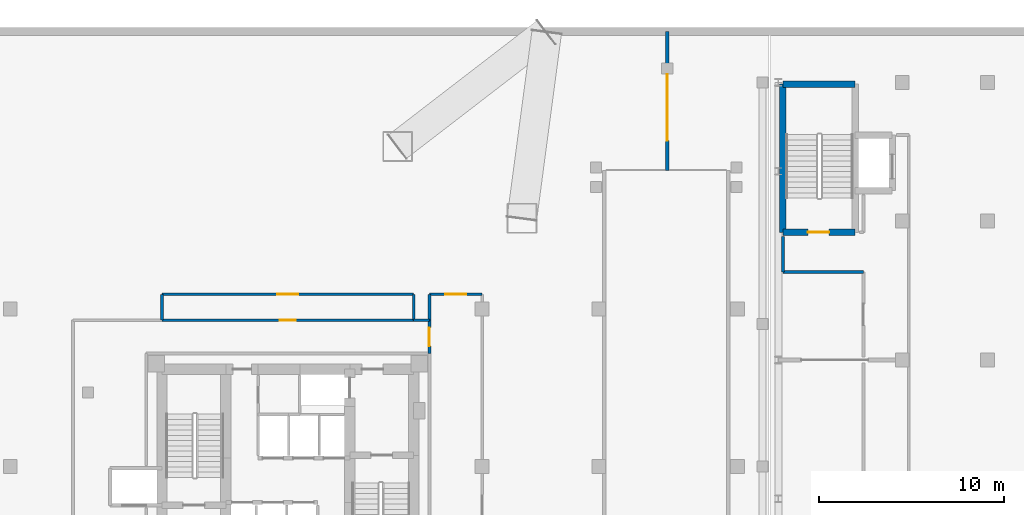
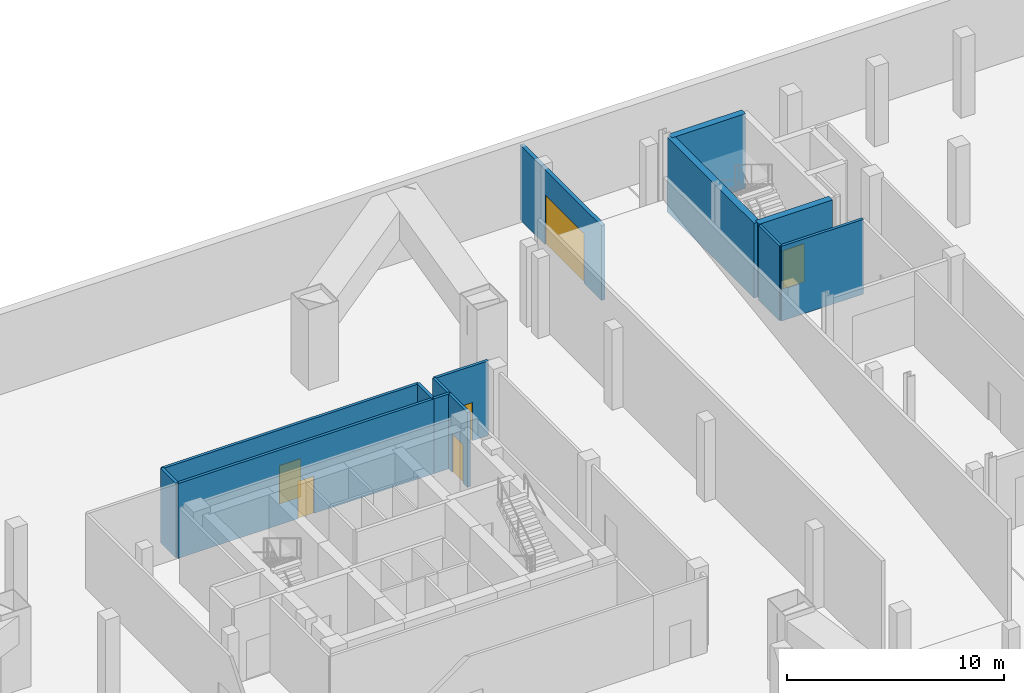
# One storey, part 8 of 14: 14 walls, 6 doors, 6 openings.
"""IFC4 building model written with IfcOpenShell, lengths in metres."""

from ifc_helpers import new_model, si_unit, direction, frame, frame_2d, origin, place, context, subcontext, project, spatial, rectangle, extrude, material, layer, layer_set, type_object, element, fill, save


model = new_model("IFC4")

# Units and contexts
model_context = context("Model", 3, precision=1e-05, world=origin(), true_north=direction((0.0, 1.0)))
body_context = subcontext(model_context, "Body", "Model", "MODEL_VIEW")
ifc_project = project(units=[si_unit("LENGTHUNIT", "METRE"), si_unit("AREAUNIT", "SQUARE_METRE"), si_unit("VOLUMEUNIT", "CUBIC_METRE"), si_unit("PLANEANGLEUNIT", "RADIAN"), si_unit("MASSUNIT", "GRAM", prefix="KILO")], contexts=[model_context])

# Site, building, storey
site_placement = place(None, origin())
site = spatial("IfcSite", under=ifc_project, at=site_placement, CompositionType="ELEMENT")
building_placement = place(site_placement, origin())
building = spatial("IfcBuilding", under=site, at=building_placement, Name="Mersakhor Tower and Convention Hall", CompositionType="ELEMENT")
storey_placement = place(building_placement, frame((0.0, 0.0, -4.5)))
storey = spatial("IfcBuildingStorey", under=building, at=storey_placement, Name="B01", CompositionType="ELEMENT", Elevation=-4.5)

# Wall, opening, door
ifc_material_1 = material(Name="Fire-rated gypsum board stud partition", Category="other")
ifc_layer_1 = layer(ifc_material_1, 0.14990234375)
ifc_layer_set_1 = layer_set([ifc_layer_1], Name="Fire-rated gypsum board stud partition")
wall_type_1 = type_object("IfcWallType", Name="WL-PRT-150", PredefinedType="PARTITIONING", material=ifc_layer_set_1)
wall_1_placement = place(storey_placement, frame((22.199951171875, 35.39990234375, 0.0), z_axis=(0.0, 0.0, 1.0), x_axis=(1.0, 0.0, 0.0)))
wall_1 = element("IfcWall", 1, at=wall_1_placement, inside=storey, type_object=wall_type_1, Name="B01 Interior Partition Wall P-021", PredefinedType="PARTITIONING", context=body_context, shape_type="SweptSolid", body=[
    extrude(rectangle(XDim=13.60009765625, YDim=0.14990234375, at=frame_2d((6.800048828125, 0.0))), origin(), (0.0, 0.0, 1.0), 4.199951171875),
])
opening_1_placement = place(wall_1_placement, frame((6.375, 0.0, 0.0)))
opening_1 = element("IfcOpeningElement", 2, at=opening_1_placement, cuts=wall_1, Name="Opening SVD-01", PredefinedType="OPENING", context=body_context, shape_type="SweptSolid", body=[
    extrude(rectangle(XDim=0.85009765625, YDim=2.10009765625, at=frame_2d((0.425048828125, 1.050048828125))), frame((0.0, 0.0849609375, 0.0), z_axis=(0.0, -1.0, 0.0), x_axis=(1.0, 0.0, 0.0)), (0.0, 0.0, 1.0), 0.169921875),
])
ifc_material_2 = material(Name="Fire-rated hardwood leaf and painted steel frame", Category="steel")
door_type_1 = type_object("IfcDoorType", Name="DR-INT-SVC-085x210", OperationType="NOTDEFINED", PredefinedType="DOOR", material=ifc_material_2)
door_1_placement = place(opening_1_placement, origin())
door_1 = element("IfcDoor", 3, at=door_1_placement, inside=storey, type_object=door_type_1, Name="B01 Basement Core Access Corridor West to Secure Resident Bicycle Storage Room Door", OperationType="SINGLE_SWING_RIGHT", OverallHeight=2.10009765625, OverallWidth=0.85009765625, PredefinedType="DOOR", context=body_context, shape_type="SweptSolid", body=[
    extrude(rectangle(XDim=0.85009765625, YDim=2.10009765625, at=frame_2d((0.425048828125, 1.050048828125))), frame((0.0, 0.02490234375, 0.0), z_axis=(0.0, -1.0, 0.0), x_axis=(1.0, 0.0, 0.0)), (0.0, 0.0, 1.0), 0.050048828125),
])
fill(opening_1, door_1)

# Wall
wall_2_placement = place(storey_placement, frame((35.800048828125, 35.39990234375, 0.0), z_axis=(0.0, 0.0, 1.0), x_axis=(1.0, 0.0, 0.0)))
element("IfcWall", 4, at=wall_2_placement, inside=storey, type_object=wall_type_1, Name="B01 Interior Partition Wall P-022", PredefinedType="PARTITIONING", context=body_context, shape_type="SweptSolid", body=[
    extrude(rectangle(XDim=0.849853515625, YDim=0.14990234375, at=frame_2d((0.4248046875, 0.0))), origin(), (0.0, 0.0, 1.0), 4.199951171875),
])

# Wall, opening, door
wall_3_placement = place(storey_placement, frame((36.64990234375, 35.39990234375, 0.0), z_axis=(0.0, 0.0, 1.0), x_axis=(0.0, -1.0, 0.0)))
wall_3 = element("IfcWall", 5, at=wall_3_placement, inside=storey, type_object=wall_type_1, Name="B01 Interior Partition Wall P-023", PredefinedType="PARTITIONING", context=body_context, shape_type="SweptSolid", body=[
    extrude(rectangle(XDim=1.7998046875, YDim=0.14990234375, at=frame_2d((0.89990234375, 0.0))), origin(), (0.0, 0.0, 1.0), 4.199951171875),
])
opening_2_placement = place(wall_3_placement, frame((0.39990234375, 0.0, 0.0)))
opening_2 = element("IfcOpeningElement", 6, at=opening_2_placement, cuts=wall_3, Name="Opening FD-01", PredefinedType="OPENING", context=body_context, shape_type="SweptSolid", body=[
    extrude(rectangle(XDim=1.0, YDim=2.14990234375, at=frame_2d((0.5, 1.074951171875))), frame((0.0, 0.0849609375, 0.0), z_axis=(0.0, -1.0, 0.0), x_axis=(1.0, 0.0, 0.0)), (0.0, 0.0, 1.0), 0.169921875),
])
ifc_material_3 = material(Name="Fire-rated hardwood leaf and painted steel frame", Category="steel")
door_type_2 = type_object("IfcDoorType", Name="DR-INT-FLT-100x215", OperationType="NOTDEFINED", PredefinedType="DOOR", material=ifc_material_3)
door_2_placement = place(opening_2_placement, origin())
door_2 = element("IfcDoor", 7, at=door_2_placement, inside=storey, type_object=door_type_2, Name="B01 Ring Corridor Fire Door", OperationType="SINGLE_SWING_LEFT", OverallHeight=2.14990234375, OverallWidth=1.0, PredefinedType="DOOR", context=body_context, shape_type="SweptSolid", body=[
    extrude(rectangle(XDim=1.0, YDim=2.14990234375, at=frame_2d((0.5, 1.074951171875))), frame((0.0, 0.02490234375, 0.0), z_axis=(0.0, -1.0, 0.0), x_axis=(1.0, 0.0, 0.0)), (0.0, 0.0, 1.0), 0.050048828125),
])
fill(opening_2, door_2)

# Wall
wall_4_placement = place(storey_placement, frame((36.64990234375, 35.39990234375, 0.0), z_axis=(0.0, 0.0, 1.0), x_axis=(0.0, 1.0, 0.0)))
element("IfcWall", 8, at=wall_4_placement, inside=storey, type_object=wall_type_1, Name="B01 Interior Partition Wall P-033", PredefinedType="PARTITIONING", context=body_context, shape_type="SweptSolid", body=[
    extrude(rectangle(XDim=1.400146484375, YDim=0.14990234375, at=frame_2d((0.7001953125, 0.0))), origin(), (0.0, 0.0, 1.0), 4.199951171875),
])

# Wall, opening, door
wall_5_placement = place(storey_placement, frame((36.64990234375, 36.800048828125, 0.0), z_axis=(0.0, 0.0, 1.0), x_axis=(1.0, 0.0, 0.0)))
wall_5 = element("IfcWall", 9, at=wall_5_placement, inside=storey, type_object=wall_type_1, Name="B01 Interior Partition Wall P-034", PredefinedType="PARTITIONING", context=body_context, shape_type="SweptSolid", body=[
    extrude(rectangle(XDim=2.85009765625, YDim=0.14990234375, at=frame_2d((1.425048828125, 0.0))), origin(), (0.0, 0.0, 1.0), 4.199951171875),
])
opening_3_placement = place(wall_5_placement, frame((0.85009765625, 0.0, 0.0)))
opening_3 = element("IfcOpeningElement", 10, at=opening_3_placement, cuts=wall_5, Name="Opening SD-01", PredefinedType="OPENING", context=body_context, shape_type="SweptSolid", body=[
    extrude(rectangle(XDim=1.14990234375, YDim=2.14990234375, at=frame_2d((0.574951171875, 1.074951171875))), frame((0.0, 0.0849609375, 0.0), z_axis=(0.0, -1.0, 0.0), x_axis=(1.0, 0.0, 0.0)), (0.0, 0.0, 1.0), 0.169921875),
])
ifc_material_4 = material(Name="Fire-rated hardwood leaf and painted steel frame", Category="steel")
door_type_3 = type_object("IfcDoorType", Name="DR-INT-STAIR-115x215", OperationType="NOTDEFINED", PredefinedType="DOOR", material=ifc_material_4)
door_3_placement = place(opening_3_placement, origin())
door_3 = element("IfcDoor", 11, at=door_3_placement, inside=storey, type_object=door_type_3, Name="B01 Basement Core Access Corridor East to Two-Way Basement Drive Aisle AISLE-N Door", OperationType="SINGLE_SWING_LEFT", OverallHeight=2.14990234375, OverallWidth=1.14990234375, PredefinedType="DOOR", context=body_context, shape_type="SweptSolid", body=[
    extrude(rectangle(XDim=1.14990234375, YDim=2.14990234375, at=frame_2d((0.574951171875, 1.074951171875))), frame((0.0, 0.02490234375, 0.0), z_axis=(0.0, -1.0, 0.0), x_axis=(1.0, 0.0, 0.0)), (0.0, 0.0, 1.0), 0.050048828125),
])
fill(opening_3, door_3)

# Walls
wall_6_placement = place(storey_placement, frame((60.10009765625, 38.0, 0.0), z_axis=(0.0, 0.0, 1.0), x_axis=(-1.0, 0.0, 0.0)))
element("IfcWall", 12, at=wall_6_placement, inside=storey, type_object=wall_type_1, Name="B01 Interior Partition Wall P-035", PredefinedType="PARTITIONING", context=body_context, shape_type="SweptSolid", body=[
    extrude(rectangle(XDim=4.35009765625, YDim=0.14990234375, at=frame_2d((2.175048828125, 0.0))), origin(), (0.0, 0.0, 1.0), 4.199951171875),
])
wall_7_placement = place(storey_placement, frame((55.75, 38.0, 0.0), z_axis=(0.0, 0.0, 1.0), x_axis=(0.0, 1.0, 0.0)))
element("IfcWall", 13, at=wall_7_placement, inside=storey, type_object=wall_type_1, Name="B01 Interior Partition Wall P-036", PredefinedType="PARTITIONING", context=body_context, shape_type="SweptSolid", body=[
    extrude(rectangle(XDim=1.925048828125, YDim=0.14990234375, at=frame_2d((0.96240234375, 0.0))), origin(), (0.0, 0.0, 1.0), 4.199951171875),
])

# Wall, opening, door
wall_8_placement = place(storey_placement, frame((22.199951171875, 36.800048828125, 0.0), z_axis=(0.0, 0.0, 1.0), x_axis=(1.0, 0.0, 0.0)))
wall_8 = element("IfcWall", 14, at=wall_8_placement, inside=storey, type_object=wall_type_1, Name="B01 Interior Partition Wall P-065", PredefinedType="PARTITIONING", context=body_context, shape_type="SweptSolid", body=[
    extrude(rectangle(XDim=13.60009765625, YDim=0.14990234375, at=frame_2d((6.800048828125, 0.0))), origin(), (0.0, 0.0, 1.0), 4.199951171875),
])
opening_4_placement = place(wall_8_placement, frame((6.22509765625, 0.0, 0.0)))
opening_4 = element("IfcOpeningElement", 15, at=opening_4_placement, cuts=wall_8, Name="Opening SD-01", PredefinedType="OPENING", context=body_context, shape_type="SweptSolid", body=[
    extrude(rectangle(XDim=1.14990234375, YDim=2.14990234375, at=frame_2d((0.574951171875, 1.074951171875))), frame((0.0, 0.0849609375, 0.0), z_axis=(0.0, -1.0, 0.0), x_axis=(1.0, 0.0, 0.0)), (0.0, 0.0, 1.0), 0.169921875),
])
door_4_placement = place(opening_4_placement, origin())
door_4 = element("IfcDoor", 16, at=door_4_placement, inside=storey, type_object=door_type_3, Name="B01 Two-Way Basement Drive Aisle AISLE-N to Secure Resident Bicycle Storage Room Door", OperationType="SINGLE_SWING_RIGHT", OverallHeight=2.14990234375, OverallWidth=1.14990234375, PredefinedType="DOOR", context=body_context, shape_type="SweptSolid", body=[
    extrude(rectangle(XDim=1.14990234375, YDim=2.14990234375, at=frame_2d((0.574951171875, 1.074951171875))), frame((0.0, 0.02490234375, 0.0), z_axis=(0.0, -1.0, 0.0), x_axis=(1.0, 0.0, 0.0)), (0.0, 0.0, 1.0), 0.050048828125),
])
fill(opening_4, door_4)

# Walls
for number, where, z_axis, x_axis, name in (
    (17, (35.800048828125, 36.800048828125, 0.0), (0.0, 0.0, 1.0), (0.0, -1.0, 0.0), "B01 Interior Partition Wall P-066"),
    (18, (22.199951171875, 35.39990234375, 0.0), (0.0, 0.0, 1.0), (0.0, 1.0, 0.0), "B01 Interior Partition Wall P-067"),
):
    element("IfcWall", number, at=place(storey_placement, frame(where, z_axis=z_axis, x_axis=x_axis)), inside=storey, type_object=wall_type_1, Name=name, PredefinedType="PARTITIONING", context=body_context, shape_type="SweptSolid", body=[
        extrude(rectangle(XDim=1.400146484375, YDim=0.14990234375, at=frame_2d((0.7001953125, 0.0))), origin(), (0.0, 0.0, 1.0), 4.199951171875),
    ])

# Wall, opening, door
ifc_material_5 = material(Name="Acoustic concrete blockwork and gypsum board", Category="masonry")
ifc_layer_2 = layer(ifc_material_5, 0.199951171875)
ifc_layer_set_2 = layer_set([ifc_layer_2], Name="Acoustic concrete blockwork and gypsum board")
wall_type_2 = type_object("IfcWallType", Name="WL-PRT-200", PredefinedType="PARTITIONING", material=ifc_layer_set_2)
wall_9_placement = place(storey_placement, frame((49.5, 43.5, 0.0), z_axis=(0.0, 0.0, 1.0), x_axis=(0.0, 1.0, 0.0)))
wall_9 = element("IfcWall", 19, at=wall_9_placement, inside=storey, type_object=wall_type_2, Name="B01 Basement Fire Compartment Wall FG-1", PredefinedType="PARTITIONING", context=body_context, shape_type="SweptSolid", body=[
    extrude(rectangle(XDim=7.5, YDim=0.199951171875, at=frame_2d((3.75, 0.0))), origin(), (0.0, 0.0, 1.0), 4.199951171875),
])
opening_5_placement = place(wall_9_placement, frame((1.60009765625, 0.0, 0.0)))
opening_5 = element("IfcOpeningElement", 20, at=opening_5_placement, cuts=wall_9, Name="Opening GATE-03", PredefinedType="OPENING", context=body_context, shape_type="SweptSolid", body=[
    extrude(rectangle(XDim=3.60009765625, YDim=2.800048828125, at=frame_2d((1.800048828125, 1.39990234375))), frame((0.0, 0.10986328125, 0.0), z_axis=(0.0, -1.0, 0.0), x_axis=(1.0, 0.0, 0.0)), (0.0, 0.0, 1.0), 0.219970703125),
])
ifc_material_6 = material(Name="Thermally broken dark aluminium and safety glass", Category="aluminium")
door_type_4 = type_object("IfcDoorType", Name="DR-GATE-BSM-360x280", OperationType="NOTDEFINED", PredefinedType="GATE", material=ifc_material_6)
door_5_placement = place(opening_5_placement, origin())
door_5 = element("IfcDoor", 21, at=door_5_placement, inside=storey, type_object=door_type_4, Name="B01 Basement Compartment Fire Shutter Gate BG-1", OperationType="ROLLINGUP", OverallHeight=2.800048828125, OverallWidth=3.60009765625, PredefinedType="GATE", context=body_context, shape_type="SweptSolid", body=[
    extrude(rectangle(XDim=3.60009765625, YDim=2.800048828125, at=frame_2d((1.800048828125, 1.39990234375))), frame((0.0, 0.02490234375, 0.0), z_axis=(0.0, -1.0, 0.0), x_axis=(1.0, 0.0, 0.0)), (0.0, 0.0, 1.0), 0.050048828125),
])
fill(opening_5, door_5)

# Walls
ifc_material_7 = material(Name="Concrete C50/60", Category="concrete")
ifc_layer_3 = layer(ifc_material_7, 0.35009765625)
ifc_layer_set_3 = layer_set([ifc_layer_3], Name="Concrete C50/60")
wall_type_3 = type_object("IfcWallType", Name="WL-SHR-350", PredefinedType="SHEAR", material=ifc_layer_set_3)
wall_10_placement = place(storey_placement, frame((55.75, 40.14990234375, 0.0), z_axis=(0.0, 0.0, 1.0), x_axis=(0.0, 1.0, 0.0)))
element("IfcWall", 22, at=wall_10_placement, inside=storey, type_object=wall_type_3, Name="B01 CHST2 West Shear Wall", PredefinedType="SHEAR", context=body_context, shape_type="SweptSolid", body=[
    extrude(rectangle(XDim=8.0, YDim=0.35009765625, at=frame_2d((4.0, 0.0))), origin(), (0.0, 0.0, 1.0), 4.199951171875),
])
wall_11_placement = place(storey_placement, frame((55.75, 48.14990234375, 0.0), z_axis=(0.0, 0.0, 1.0), x_axis=(1.0, 0.0, 0.0)))
element("IfcWall", 23, at=wall_11_placement, inside=storey, type_object=wall_type_3, Name="B01 CHST2 North Shear Wall", PredefinedType="SHEAR", context=body_context, shape_type="SweptSolid", body=[
    extrude(rectangle(XDim=3.89990234375, YDim=0.35009765625, at=frame_2d((1.949951171875, 0.0))), origin(), (0.0, 0.0, 1.0), 4.199951171875),
])

# Wall, opening, door
wall_12_placement = place(storey_placement, frame((55.75, 40.14990234375, 0.0), z_axis=(0.0, 0.0, 1.0), x_axis=(1.0, 0.0, 0.0)))
wall_12 = element("IfcWall", 24, at=wall_12_placement, inside=storey, type_object=wall_type_3, Name="B01 CHST2 South Shear Wall", PredefinedType="SHEAR", context=body_context, shape_type="SweptSolid", body=[
    extrude(rectangle(XDim=3.89990234375, YDim=0.35009765625, at=frame_2d((1.949951171875, 0.0))), origin(), (0.0, 0.0, 1.0), 4.199951171875),
])
opening_6_placement = place(wall_12_placement, frame((1.35009765625, 0.0, 0.0)))
opening_6 = element("IfcOpeningElement", 25, at=opening_6_placement, cuts=wall_12, Name="Opening SD-01", PredefinedType="OPENING", context=body_context, shape_type="SweptSolid", body=[
    extrude(rectangle(XDim=1.14990234375, YDim=2.14990234375, at=frame_2d((0.574951171875, 1.074951171875))), frame((0.0, 0.18505859375, 0.0), z_axis=(0.0, -1.0, 0.0), x_axis=(1.0, 0.0, 0.0)), (0.0, 0.0, 1.0), 0.3701171875),
])
door_6_placement = place(opening_6_placement, origin())
door_6 = element("IfcDoor", 26, at=door_6_placement, inside=storey, type_object=door_type_3, Name="B01 Convention Stair CH-ST2 Door", OperationType="SINGLE_SWING_RIGHT", OverallHeight=2.14990234375, OverallWidth=1.14990234375, PredefinedType="DOOR", context=body_context, shape_type="SweptSolid", body=[
    extrude(rectangle(XDim=1.14990234375, YDim=2.14990234375, at=frame_2d((0.574951171875, 1.074951171875))), frame((0.0, 0.02490234375, 0.0), z_axis=(0.0, -1.0, 0.0), x_axis=(1.0, 0.0, 0.0)), (0.0, 0.0, 1.0), 0.050048828125),
])
fill(opening_6, door_6)

save(model, "model.ifc")
